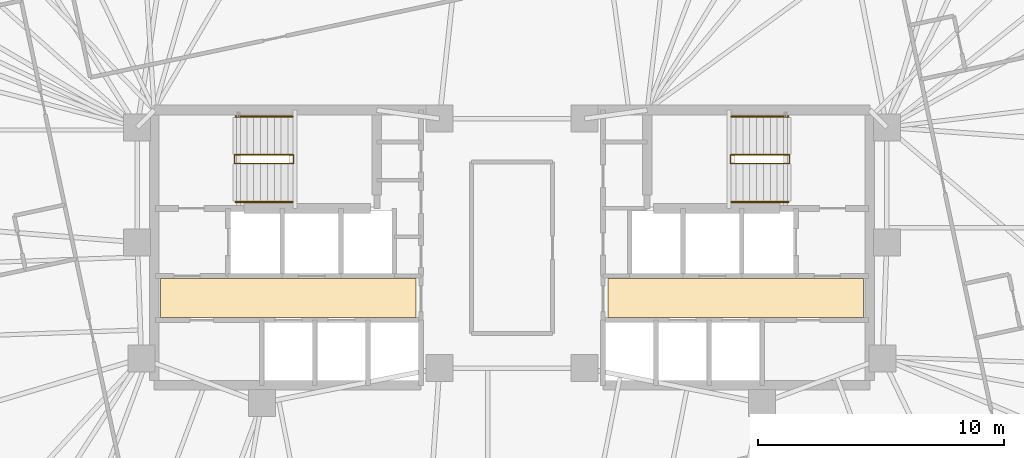
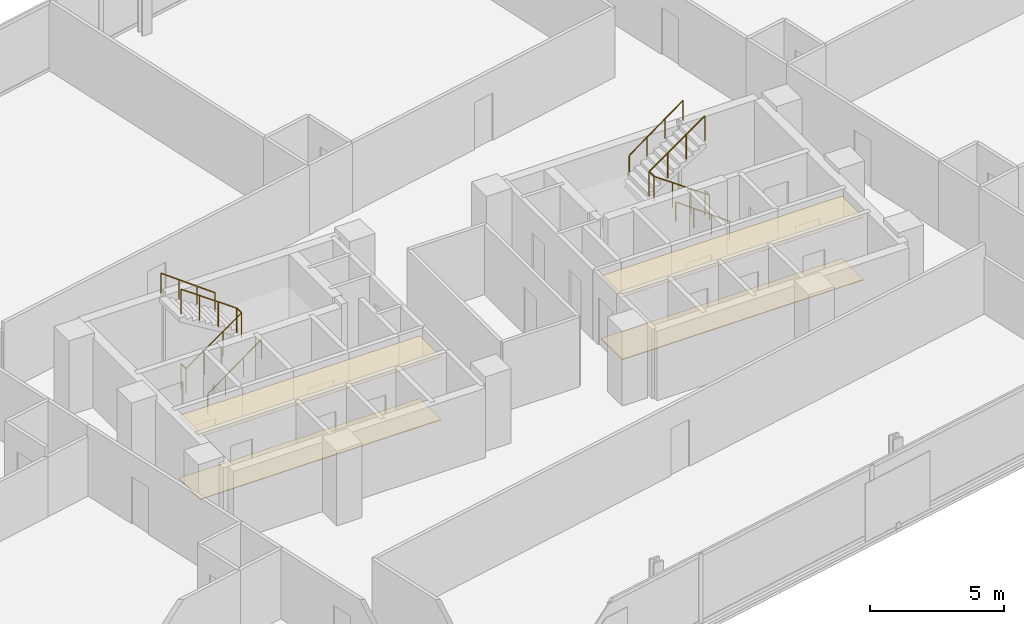
# One storey, part 19 of 19: 6 railings, 4 coverings.
"""IFC4 building model written with IfcOpenShell, lengths in metres."""

import ifcopenshell
import ifcopenshell.guid

model = None  # the IFC model being written
_history = None  # IfcOwnerHistory: only IFC2X3 demands one
_inside = {}  # id of a spatial element -> (the spatial element, [elements in it])
_under = {}  # id of a project, library or spatial element -> (it, [spatial elements below it])
_declared = {}  # id of a project -> (the project, [libraries it declares])
_typed = {}  # id of a type object -> (the type object, [elements of that type])
_made_of = {}  # id of a material, layer set ... -> (it, [elements and type objects made of it])


def new_model(schema):
    """Start an empty IFC model of exactly this schema.

    Asked for "IFC4X3", IfcOpenShell would pick the latest addendum, in which some entities
    have other attributes; the version numbers below select the first issue.
    IFC2X3 requires an IfcOwnerHistory on every rooted entity: one is made here for all.
    """
    global model, _history
    if schema == "IFC4X3":
        model = ifcopenshell.file(schema_version=(4, 3, 0, 0))
    else:
        model = ifcopenshell.file(schema=schema)
    _inside.clear()
    _under.clear()
    _declared.clear()
    _typed.clear()
    _made_of.clear()
    _history = None
    if model.schema == "IFC2X3":
        org = make("IfcOrganization", Name="unknown")
        user = make(
            "IfcPersonAndOrganization",
            ThePerson=make("IfcPerson", FamilyName="unknown"),
            TheOrganization=org,
        )
        app = make(
            "IfcApplication",
            ApplicationDeveloper=org,
            Version="unknown",
            ApplicationFullName="unknown",
            ApplicationIdentifier="unknown",
        )
        _history = make(
            "IfcOwnerHistory",
            OwningUser=user,
            OwningApplication=app,
            ChangeAction="ADDED",
            CreationDate=0,
        )
    return model


def make(cls, **values):
    """One entity of the class cls with the attributes given. An attribute that is None is left unset."""
    return model.create_entity(
        cls, **{name: value for name, value in values.items() if value is not None}
    )


def rooted(cls, **values):
    """An entity with a GlobalId (a new one), such as an element, a storey or a relation."""
    return make(cls, GlobalId=ifcopenshell.guid.new(), OwnerHistory=_history, **values)


def si_unit(unit_type, name, prefix=None):
    """IfcSIUnit, for example si_unit("LENGTHUNIT", "METRE", prefix="MILLI")."""
    return make("IfcSIUnit", UnitType=unit_type, Prefix=prefix, Name=name)


def assignment(units):
    """IfcUnitAssignment: the units of a project."""
    return None if units is None else make("IfcUnitAssignment", Units=units)


def point(xyz):
    """IfcCartesianPoint."""
    return None if xyz is None else make("IfcCartesianPoint", Coordinates=xyz)


def direction(xyz):
    """IfcDirection."""
    return None if xyz is None else make("IfcDirection", DirectionRatios=xyz)


def frame(location, z_axis=None, x_axis=None):
    """IfcAxis2Placement3D, a coordinate frame: its origin and axes. An axis left out is left unset."""
    return make(
        "IfcAxis2Placement3D",
        Location=point(location),
        Axis=direction(z_axis),
        RefDirection=direction(x_axis),
    )


def frame_2d(location, x_axis=None):
    """IfcAxis2Placement2D, a coordinate frame in the plane: its origin and x axis."""
    return make(
        "IfcAxis2Placement2D", Location=point(location), RefDirection=direction(x_axis)
    )


def origin():
    """The frame at (0, 0, 0) with its axes left unset."""
    return frame((0.0, 0.0, 0.0))


def origin_2d():
    """The frame at (0, 0) in the plane with its x axis left unset."""
    return frame_2d((0.0, 0.0))


def place(relative_to, where):
    """IfcLocalPlacement: puts the frame where relative to a parent placement (None: the world)."""
    return make(
        "IfcLocalPlacement", PlacementRelTo=relative_to, RelativePlacement=where
    )


def context(
    kind, dimensions, precision=None, world=None, true_north=None, identifier=None
):
    """IfcGeometricRepresentationContext, for example the 3D "Model" context."""
    return make(
        "IfcGeometricRepresentationContext",
        ContextIdentifier=identifier,
        ContextType=kind,
        CoordinateSpaceDimension=dimensions,
        Precision=precision,
        WorldCoordinateSystem=world,
        TrueNorth=true_north,
    )


def subcontext(parent, identifier, kind, view, scale=None):
    """IfcGeometricRepresentationSubContext, for example "Body" below "Model"."""
    return make(
        "IfcGeometricRepresentationSubContext",
        ContextIdentifier=identifier,
        ContextType=kind,
        ParentContext=parent,
        TargetScale=scale,
        TargetView=view,
    )


def project(units=None, contexts=None):
    """IfcProject with its units and contexts."""
    return rooted(
        "IfcProject",
        Name="project",
        RepresentationContexts=contexts,
        UnitsInContext=assignment(units),
    )


def spatial(cls, under=None, at=None, **own):
    """A site, building, storey or space (cls), placed at a placement, below another one or the project."""
    s = rooted(cls, ObjectPlacement=at, **own)
    if under is not None:
        _under.setdefault(under.id(), (under, []))[1].append(s)
    return s


def polyline(points):
    """IfcPolyline through the points."""
    return make("IfcPolyline", Points=[point(p) for p in points])


def profile(cls, at=None, kind="AREA", **sizes):
    """A parametric profile (cls). Its sizes go by their IFC names, for example OverallWidth=200.0."""
    return make(cls, ProfileType=kind, Position=at, **sizes)


def circle(**sizes):
    """IfcCircleProfileDef."""
    return profile("IfcCircleProfileDef", **sizes)


def outline(outer, holes=None, kind="AREA"):
    """IfcArbitraryClosedProfileDef: a profile drawn as a closed curve; with holes, ...WithVoids."""
    if holes is None:
        return make("IfcArbitraryClosedProfileDef", ProfileType=kind, OuterCurve=outer)
    return make(
        "IfcArbitraryProfileDefWithVoids",
        ProfileType=kind,
        OuterCurve=outer,
        InnerCurves=holes,
    )


def extrude(swept, where, along, depth):
    """IfcExtrudedAreaSolid: the profile swept, set in the frame where, extruded along a direction by depth."""
    return make(
        "IfcExtrudedAreaSolid",
        SweptArea=swept,
        Position=where,
        ExtrudedDirection=direction(along),
        Depth=depth,
    )


def shape(context_of_items, identifier, shape_type, items):
    """IfcShapeRepresentation: the items that make up one representation, for example the "Body"."""
    return make(
        "IfcShapeRepresentation",
        ContextOfItems=context_of_items,
        RepresentationIdentifier=identifier,
        RepresentationType=shape_type,
        Items=items,
    )


def material(Name=None, Category=None):
    """IfcMaterial."""
    return make("IfcMaterial", Name=Name, Category=Category)


def layer(
    of_material, thickness, ventilated=None, Name=None, Category=None, Priority=None
):
    """IfcMaterialLayer: one layer of a wall or slab, of a material (None: an air gap)."""
    return make(
        "IfcMaterialLayer",
        Material=of_material,
        LayerThickness=thickness,
        IsVentilated=ventilated,
        Name=Name,
        Category=Category,
        Priority=Priority,
    )


def layer_set(layers, Name=None):
    """IfcMaterialLayerSet."""
    return make("IfcMaterialLayerSet", MaterialLayers=layers, LayerSetName=Name)


def made_of(thing, what):
    """Note that an element or type object is made of a material, layer set ...; save() writes the relation."""
    if what is not None:
        _made_of.setdefault(what.id(), (what, []))[1].append(thing)
    return thing


def type_object(cls, material=None, **own):
    """A type object (cls), such as IfcWallType, which elements share."""
    return made_of(rooted(cls, **own), material)


def element(
    cls,
    number,
    at=None,
    inside=None,
    cuts=None,
    type_object=None,
    material=None,
    context=None,
    identifier="Body",
    shape_type=None,
    held_by="IfcProductDefinitionShape",
    body=None,
    shapes=None,
    **own,
):
    """One element of the class cls, such as IfcWall. Its Tag is "e" and its number.

    at: its placement. inside: the storey or other place that contains it. cuts: it is an
    opening in that element (IfcRelVoidsElement). A single representation is given by context,
    identifier, shape_type and body (its items); several are given by shapes. held_by: the class
    of the entity that holds the representations. save() writes the other relations.
    """
    e = rooted(cls, Tag="e%d" % number, ObjectPlacement=at, **own)
    if body is not None:
        shapes = [shape(context, identifier, shape_type, body)]
    if shapes is not None:
        e.Representation = make(held_by, Representations=shapes)
    if inside is not None:
        _inside.setdefault(inside.id(), (inside, []))[1].append(e)
    if cuts is not None:
        rooted(
            "IfcRelVoidsElement", RelatingBuildingElement=cuts, RelatedOpeningElement=e
        )
    if type_object is not None:
        _typed.setdefault(type_object.id(), (type_object, []))[1].append(e)
    return made_of(e, material)


def aggregate(whole, parts):
    """IfcRelAggregates: a whole, such as a stair, and the parts it consists of."""
    return rooted("IfcRelAggregates", RelatingObject=whole, RelatedObjects=parts)


def save(model, path):
    """Write the relations noted so far, then the file.

    IfcRelAggregates (storeys below a building ...), IfcRelContainedInSpatialStructure (elements
    in a storey), IfcRelDefinesByType, IfcRelAssociatesMaterial and IfcRelDeclares: one each for
    every whole, place, type object, material and project.
    """
    for whole, parts in _under.values():
        aggregate(whole, parts)
    for where, things in _inside.values():
        rooted(
            "IfcRelContainedInSpatialStructure",
            RelatedElements=things,
            RelatingStructure=where,
        )
    for kind, things in _typed.values():
        rooted("IfcRelDefinesByType", RelatedObjects=things, RelatingType=kind)
    for what, things in _made_of.values():
        rooted("IfcRelAssociatesMaterial", RelatedObjects=things, RelatingMaterial=what)
    for by, libraries in _declared.values():
        rooted("IfcRelDeclares", RelatingContext=by, RelatedDefinitions=libraries)
    model.write(path)


model = new_model("IFC4")

# Units and contexts
model_context = context("Model", 3, precision=1e-05, world=origin(), true_north=direction((0.0, 1.0)))
body_context = subcontext(model_context, "Body", "Model", "MODEL_VIEW")
ifc_project = project(units=[si_unit("LENGTHUNIT", "METRE"), si_unit("AREAUNIT", "SQUARE_METRE"), si_unit("VOLUMEUNIT", "CUBIC_METRE"), si_unit("PLANEANGLEUNIT", "RADIAN"), si_unit("MASSUNIT", "GRAM", prefix="KILO")], contexts=[model_context])

# Site, building, storey
site_placement = place(None, origin())
site = spatial("IfcSite", under=ifc_project, at=site_placement, CompositionType="ELEMENT")
building_placement = place(site_placement, origin())
building = spatial("IfcBuilding", under=site, at=building_placement, Name="Menara Jurai Vektor", CompositionType="ELEMENT")
storey_placement = place(building_placement, frame((0.0, 0.0, 151.39990234375)))
storey = spatial("IfcBuildingStorey", under=building, at=storey_placement, Name="L38", CompositionType="ELEMENT", Elevation=151.39990234375)

# Coverings
ifc_material_1 = material(Name="Mineral Fibre Acoustic Ceiling Tile", Category="gypsum")
ifc_layer_1 = layer(ifc_material_1, 0.02001953125)
ifc_layer_set_1 = layer_set([ifc_layer_1], Name="Mineral Fibre Acoustic Ceiling Tile")
covering_type_1 = type_object("IfcCoveringType", Name="COV-CEILING-ACOUSTIC", PredefinedType="CEILING", material=ifc_layer_set_1)
covering_1_placement = place(storey_placement, frame((0.0, 0.0, 2.85498046875)))
element("IfcCovering", 1, at=covering_1_placement, inside=storey, type_object=covering_type_1, Name="Acoustic Lift Lobby Ceiling W L38", PredefinedType="CEILING", context=body_context, shape_type="SweptSolid", body=[
    extrude(outline(polyline([(-14.300048828125, -2.85009765625), (-3.89990234375, -2.85009765625), (-3.89990234375, -1.25), (-14.300048828125, -1.25), (-14.300048828125, -2.85009765625)])), origin(), (0.0, 0.0, 1.0), 0.02001953125),
])
covering_2_placement = place(storey_placement, frame((0.0, 0.0, 2.85498046875)))
element("IfcCovering", 2, at=covering_2_placement, inside=storey, type_object=covering_type_1, Name="Acoustic Lift Lobby Ceiling E L38", PredefinedType="CEILING", context=body_context, shape_type="SweptSolid", body=[
    extrude(outline(polyline([(3.89990234375, -2.85009765625), (14.300048828125, -2.85009765625), (14.300048828125, -1.25), (3.89990234375, -1.25), (3.89990234375, -2.85009765625)])), origin(), (0.0, 0.0, 1.0), 0.02001953125),
])
ifc_material_2 = material(Name="Honed Granite Lobby Flooring", Category="masonry")
ifc_layer_2 = layer(ifc_material_2, 0.02490234375)
ifc_layer_set_2 = layer_set([ifc_layer_2], Name="Honed Granite Lobby Flooring")
covering_type_2 = type_object("IfcCoveringType", Name="COV-FLOOR-STONE", PredefinedType="FLOORING", material=ifc_layer_set_2)
covering_3_placement = place(storey_placement, origin())
element("IfcCovering", 3, at=covering_3_placement, inside=storey, type_object=covering_type_2, Name="Granite Lift Lobby Flooring W L38", PredefinedType="FLOORING", context=body_context, shape_type="SweptSolid", body=[
    extrude(outline(polyline([(-14.300048828125, -2.85009765625), (-3.89990234375, -2.85009765625), (-3.89990234375, -1.25), (-14.300048828125, -1.25), (-14.300048828125, -2.85009765625)])), origin(), (0.0, 0.0, 1.0), 0.025146484375),
])
covering_4_placement = place(storey_placement, origin())
element("IfcCovering", 4, at=covering_4_placement, inside=storey, type_object=covering_type_2, Name="Granite Lift Lobby Flooring E L38", PredefinedType="FLOORING", context=body_context, shape_type="SweptSolid", body=[
    extrude(outline(polyline([(3.89990234375, -2.85009765625), (14.300048828125, -2.85009765625), (14.300048828125, -1.25), (3.89990234375, -1.25), (3.89990234375, -2.85009765625)])), origin(), (0.0, 0.0, 1.0), 0.025146484375),
])

# Railings
ifc_material_3 = material(Name="Painted Galvanised Steel Balustrade", Category="steel")
railing_type_1 = type_object("IfcRailingType", Name="RAIL-STAIR-GUARD", PredefinedType="GUARDRAIL", material=ifc_material_3)
railing_1_placement = place(storey_placement, frame((-11.2900390625, 3.780029296875, 0.0)))
element("IfcRailing", 5, at=railing_1_placement, inside=storey, type_object=railing_type_1, Name="ST1 Stair Guardrail 1 L38", PredefinedType="GUARDRAIL", context=body_context, shape_type="SweptSolid", body=[
    extrude(circle(Radius=0.02392578125, at=origin_2d()), frame((0.0, 0.0, 1.1259765625), z_axis=(0.0, -1.0, 0.0), x_axis=(1.0, 0.0, 0.0)), (0.0, 0.0, 1.0), 0.360107421875),
    extrude(circle(Radius=0.02392578125, at=origin_2d()), frame((0.0, -0.360107421875, 1.1259765625), z_axis=(0.816009799251, 0.0, 0.57803806754), x_axis=(0.0, 1.0, 0.0)), (0.0, 0.0, 1.0), 2.94140625),
    extrude(circle(Radius=0.02392578125, at=origin_2d()), frame((2.400146484375, -0.360107421875, 2.826171875), z_axis=(0.0, 1.0, 0.0), x_axis=(-1.0, 0.0, 0.0)), (0.0, 0.0, 1.0), 0.360107421875),
    extrude(circle(Radius=0.02392578125, at=origin_2d()), frame((2.400146484375, 0.0, 2.826171875), z_axis=(-0.816048950856, 0.0, 0.577982793694), x_axis=(0.0, -1.0, 0.0)), (0.0, 0.0, 1.0), 2.941162109375),
    extrude(circle(Radius=0.02099609375, at=origin_2d()), origin(), (0.0, 0.0, 1.0), 1.101806640625),
    extrude(circle(Radius=0.02099609375, at=origin_2d()), frame((0.0, -0.360107421875, 0.0)), (0.0, 0.0, 1.0), 1.101806640625),
    extrude(circle(Radius=0.02099609375, at=origin_2d()), frame((0.800048828125, -0.360107421875, 0.566650390625)), (0.0, 0.0, 1.0), 1.101806640625),
    extrude(circle(Radius=0.02099609375, at=origin_2d()), frame((1.60009765625, -0.360107421875, 1.133544921875)), (0.0, 0.0, 1.0), 1.101806640625),
    extrude(circle(Radius=0.02099609375, at=origin_2d()), frame((2.400146484375, -0.360107421875, 1.7001953125)), (0.0, 0.0, 1.0), 1.101806640625),
    extrude(circle(Radius=0.02099609375, at=origin_2d()), frame((2.400146484375, 0.0, 1.7001953125)), (0.0, 0.0, 1.0), 1.101806640625),
    extrude(circle(Radius=0.02099609375, at=origin_2d()), frame((1.60009765625, 0.0, 2.266845703125)), (0.0, 0.0, 1.0), 1.101806640625),
    extrude(circle(Radius=0.02099609375, at=origin_2d()), frame((0.800048828125, 0.0, 2.83349609375)), (0.0, 0.0, 1.0), 1.101806640625),
    extrude(circle(Radius=0.02099609375, at=origin_2d()), frame((0.0, 0.0, 3.400146484375)), (0.0, 0.0, 1.0), 1.101806640625),
])
railing_2_placement = place(storey_placement, frame((11.2900390625, 3.780029296875, 0.0)))
element("IfcRailing", 6, at=railing_2_placement, inside=storey, type_object=railing_type_1, Name="ST2 Stair Guardrail 1 L38", PredefinedType="GUARDRAIL", context=body_context, shape_type="SweptSolid", body=[
    extrude(circle(Radius=0.02392578125, at=origin_2d()), frame((0.0, 0.0, 1.1259765625), z_axis=(0.0, -1.0, 0.0), x_axis=(1.0, 0.0, 0.0)), (0.0, 0.0, 1.0), 0.360107421875),
    extrude(circle(Radius=0.02392578125, at=origin_2d()), frame((0.0, -0.360107421875, 1.1259765625), z_axis=(-0.816009799251, 0.0, 0.57803806754), x_axis=(0.0, -1.0, 0.0)), (0.0, 0.0, 1.0), 2.94140625),
    extrude(circle(Radius=0.02392578125, at=origin_2d()), frame((-2.400146484375, -0.360107421875, 2.826171875), z_axis=(0.0, 1.0, 0.0), x_axis=(-1.0, 0.0, 0.0)), (0.0, 0.0, 1.0), 0.360107421875),
    extrude(circle(Radius=0.02392578125, at=origin_2d()), frame((-2.400146484375, 0.0, 2.826171875), z_axis=(0.816048950856, 0.0, 0.577982793694), x_axis=(0.0, 1.0, 0.0)), (0.0, 0.0, 1.0), 2.941162109375),
    extrude(circle(Radius=0.02099609375, at=origin_2d()), origin(), (0.0, 0.0, 1.0), 1.101806640625),
    extrude(circle(Radius=0.02099609375, at=origin_2d()), frame((0.0, -0.360107421875, 0.0)), (0.0, 0.0, 1.0), 1.101806640625),
    extrude(circle(Radius=0.02099609375, at=origin_2d()), frame((-0.800048828125, -0.360107421875, 0.566650390625)), (0.0, 0.0, 1.0), 1.101806640625),
    extrude(circle(Radius=0.02099609375, at=origin_2d()), frame((-1.60009765625, -0.360107421875, 1.133544921875)), (0.0, 0.0, 1.0), 1.101806640625),
    extrude(circle(Radius=0.02099609375, at=origin_2d()), frame((-2.400146484375, -0.360107421875, 1.7001953125)), (0.0, 0.0, 1.0), 1.101806640625),
    extrude(circle(Radius=0.02099609375, at=origin_2d()), frame((-2.400146484375, 0.0, 1.7001953125)), (0.0, 0.0, 1.0), 1.101806640625),
    extrude(circle(Radius=0.02099609375, at=origin_2d()), frame((-1.60009765625, 0.0, 2.266845703125)), (0.0, 0.0, 1.0), 1.101806640625),
    extrude(circle(Radius=0.02099609375, at=origin_2d()), frame((-0.800048828125, 0.0, 2.83349609375)), (0.0, 0.0, 1.0), 1.101806640625),
    extrude(circle(Radius=0.02099609375, at=origin_2d()), frame((0.0, 0.0, 3.400146484375)), (0.0, 0.0, 1.0), 1.101806640625),
])
ifc_material_4 = material(Name="Brushed Stainless Steel Handrail", Category="steel")
railing_type_2 = type_object("IfcRailingType", Name="RAIL-STAIR-HAND", PredefinedType="HANDRAIL", material=ifc_material_4)
railing_3_placement = place(storey_placement, frame((-11.25, 1.860107421875, 0.0)))
element("IfcRailing", 7, at=railing_3_placement, inside=storey, type_object=railing_type_2, Name="ST1 Stair Handrail 1 L38", PredefinedType="HANDRAIL", context=body_context, shape_type="SweptSolid", body=[
    extrude(circle(Radius=0.02392578125, at=origin_2d()), frame((0.0, 0.0, 0.89599609375), z_axis=(0.806601938303, 0.0, 0.591095011927), x_axis=(0.0, 1.0, 0.0)), (0.0, 0.0, 1.0), 2.87646484375),
    extrude(circle(Radius=0.02099609375, at=origin_2d()), origin(), (0.0, 0.0, 1.0), 0.871826171875),
    extrude(circle(Radius=0.02099609375, at=origin_2d()), frame((0.7734375, 0.0, 0.566650390625)), (0.0, 0.0, 1.0), 0.871826171875),
    extrude(circle(Radius=0.02099609375, at=origin_2d()), frame((1.546630859375, 0.0, 1.133544921875)), (0.0, 0.0, 1.0), 0.871826171875),
    extrude(circle(Radius=0.02099609375, at=origin_2d()), frame((2.320068359375, 0.0, 1.7001953125)), (0.0, 0.0, 1.0), 0.871826171875),
])
railing_4_placement = place(storey_placement, frame((-8.929931640625, 5.340087890625, 1.7001953125)))
element("IfcRailing", 8, at=railing_4_placement, inside=storey, type_object=railing_type_2, Name="ST1 Stair Handrail 2 L38", PredefinedType="HANDRAIL", context=body_context, shape_type="SweptSolid", body=[
    extrude(circle(Radius=0.02392578125, at=origin_2d()), frame((0.0, 0.0, 0.89599609375), z_axis=(-0.806642406755, 0.0, 0.591039785145), x_axis=(0.0, -1.0, 0.0)), (0.0, 0.0, 1.0), 2.876220703125),
    extrude(circle(Radius=0.02099609375, at=origin_2d()), origin(), (0.0, 0.0, 1.0), 0.871826171875),
    extrude(circle(Radius=0.02099609375, at=origin_2d()), frame((-0.7734375, 0.0, 0.566650390625)), (0.0, 0.0, 1.0), 0.871826171875),
    extrude(circle(Radius=0.02099609375, at=origin_2d()), frame((-1.546630859375, 0.0, 1.13330078125)), (0.0, 0.0, 1.0), 0.871826171875),
    extrude(circle(Radius=0.02099609375, at=origin_2d()), frame((-2.320068359375, 0.0, 1.699951171875)), (0.0, 0.0, 1.0), 0.871826171875),
])
railing_5_placement = place(storey_placement, frame((11.25, 1.860107421875, 0.0)))
element("IfcRailing", 9, at=railing_5_placement, inside=storey, type_object=railing_type_2, Name="ST2 Stair Handrail 1 L38", PredefinedType="HANDRAIL", context=body_context, shape_type="SweptSolid", body=[
    extrude(circle(Radius=0.02392578125, at=origin_2d()), frame((0.0, 0.0, 0.89599609375), z_axis=(-0.806601938303, 0.0, 0.591095011927), x_axis=(0.0, -1.0, 0.0)), (0.0, 0.0, 1.0), 2.87646484375),
    extrude(circle(Radius=0.02099609375, at=origin_2d()), origin(), (0.0, 0.0, 1.0), 0.871826171875),
    extrude(circle(Radius=0.02099609375, at=origin_2d()), frame((-0.7734375, 0.0, 0.566650390625)), (0.0, 0.0, 1.0), 0.871826171875),
    extrude(circle(Radius=0.02099609375, at=origin_2d()), frame((-1.546630859375, 0.0, 1.133544921875)), (0.0, 0.0, 1.0), 0.871826171875),
    extrude(circle(Radius=0.02099609375, at=origin_2d()), frame((-2.320068359375, 0.0, 1.7001953125)), (0.0, 0.0, 1.0), 0.871826171875),
])
railing_6_placement = place(storey_placement, frame((8.929931640625, 5.340087890625, 1.7001953125)))
element("IfcRailing", 10, at=railing_6_placement, inside=storey, type_object=railing_type_2, Name="ST2 Stair Handrail 2 L38", PredefinedType="HANDRAIL", context=body_context, shape_type="SweptSolid", body=[
    extrude(circle(Radius=0.02392578125, at=origin_2d()), frame((0.0, 0.0, 0.89599609375), z_axis=(0.806642406755, 0.0, 0.591039785145), x_axis=(0.0, 1.0, 0.0)), (0.0, 0.0, 1.0), 2.876220703125),
    extrude(circle(Radius=0.02099609375, at=origin_2d()), origin(), (0.0, 0.0, 1.0), 0.871826171875),
    extrude(circle(Radius=0.02099609375, at=origin_2d()), frame((0.7734375, 0.0, 0.566650390625)), (0.0, 0.0, 1.0), 0.871826171875),
    extrude(circle(Radius=0.02099609375, at=origin_2d()), frame((1.546630859375, 0.0, 1.13330078125)), (0.0, 0.0, 1.0), 0.871826171875),
    extrude(circle(Radius=0.02099609375, at=origin_2d()), frame((2.320068359375, 0.0, 1.699951171875)), (0.0, 0.0, 1.0), 0.871826171875),
])

save(model, "model.ifc")
